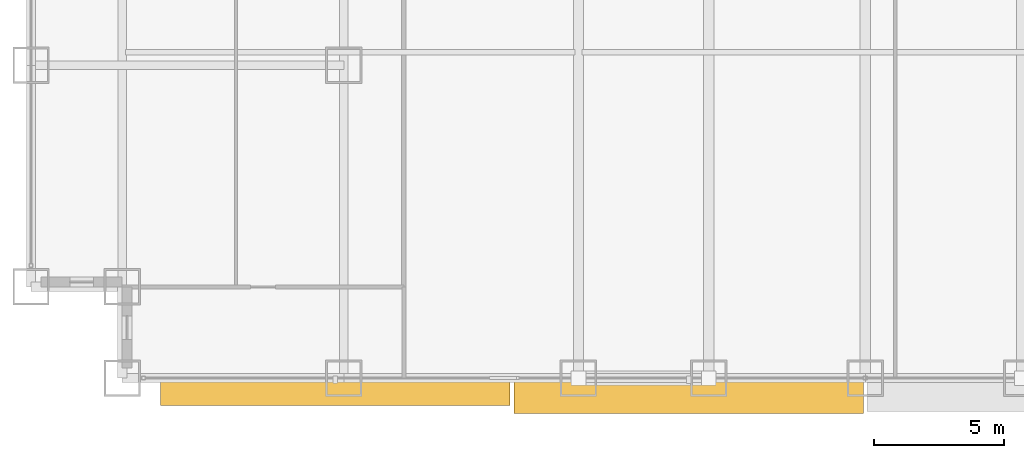
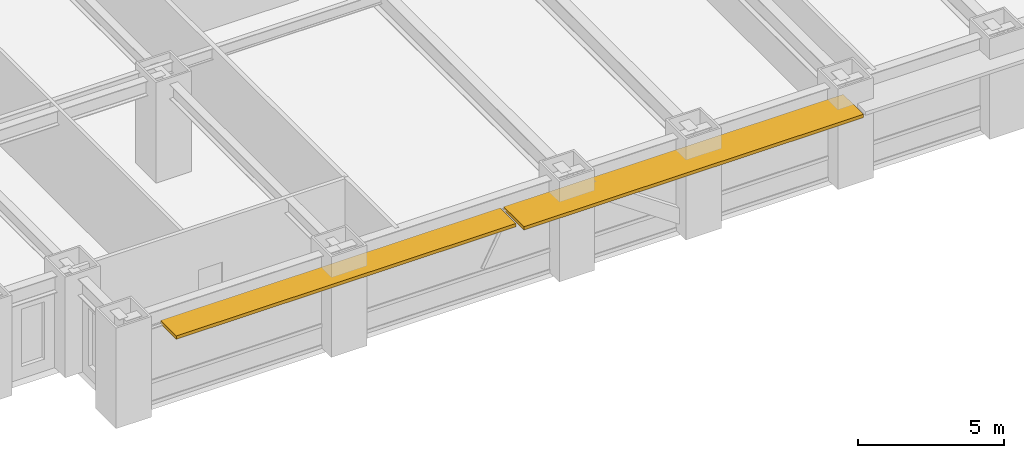
# One storey, part 28 of 32: 2 shading devices.
"""IFC4 building model written with IfcOpenShell, lengths in metres."""

from ifc_helpers import new_model, si_unit, direction, frame, origin, origin_2d, place, context, subcontext, project, spatial, rectangle, extrude, source, transform, mapped, material, layer, layer_set, type_object, element, save


model = new_model("IFC4")

# Units and contexts
model_context = context("Model", 3, precision=1e-05, world=origin(), true_north=direction((0.0, 1.0)))
body_context = subcontext(model_context, "Body", "Model", "MODEL_VIEW")
ifc_project = project(units=[si_unit("LENGTHUNIT", "METRE"), si_unit("AREAUNIT", "SQUARE_METRE"), si_unit("VOLUMEUNIT", "CUBIC_METRE"), si_unit("PLANEANGLEUNIT", "RADIAN"), si_unit("MASSUNIT", "GRAM", prefix="KILO")], contexts=[model_context])

# Site, building, storey
site_placement = place(None, origin())
site = spatial("IfcSite", under=ifc_project, at=site_placement, CompositionType="ELEMENT")
building_placement = place(site_placement, origin())
building = spatial("IfcBuilding", under=site, at=building_placement, Name="Khorayat Bourse Tower", CompositionType="ELEMENT")
storey_placement = place(building_placement, frame((0.0, 0.0, 74.60009765625)))
storey = spatial("IfcBuildingStorey", under=building, at=storey_placement, Name="L16", CompositionType="ELEMENT", Elevation=74.60009765625)

# Shading devices
ifc_material = material(Name="Precast concrete C45/55", Category="concrete")
ifc_layer = layer(ifc_material, 0.139892578125)
ifc_layer_set = layer_set([ifc_layer], Name="Precast concrete C45/55")
shading_device_type = type_object("IfcShadingDeviceType", Name="SHD-WAVE-TRAY-B", PredefinedType="USERDEFINED", material=ifc_layer_set)
shared_shape_1 = source(origin(), body_context, "Body", "SweptSolid", [
    extrude(rectangle(XDim=13.409912109375, YDim=1.076171875, at=origin_2d()), origin(), (0.0, 0.0, 1.0), 0.139892578125),
])
shading_device_1_placement = place(storey_placement, frame((-20.324951171875, -32.51806640625, 3.18994140625), z_axis=(0.0, 0.0, 1.0), x_axis=(1.0, 0.0, 0.0)))
element("IfcShadingDevice", 1, at=shading_device_1_placement, inside=storey, type_object=shading_device_type, Name="L16 Sinusoidal Wave Sunshade Tray S-1", ObjectType="SUNSHADE", PredefinedType="USERDEFINED", context=body_context, shape_type="MappedRepresentation", body=[
    mapped(shared_shape_1, transform((0.0, 0.0, 0.0), scale=1.0)),
])
shared_shape_2 = source(origin(), body_context, "Body", "SweptSolid", [
    extrude(rectangle(XDim=13.409912109375, YDim=1.380859375, at=origin_2d()), origin(), (0.0, 0.0, 1.0), 0.139892578125),
])
shading_device_2_placement = place(storey_placement, frame((-6.77490234375, -32.67041015625, 3.18994140625), z_axis=(0.0, 0.0, 1.0), x_axis=(1.0, 0.0, 0.0)))
element("IfcShadingDevice", 2, at=shading_device_2_placement, inside=storey, type_object=shading_device_type, Name="L16 Sinusoidal Wave Sunshade Tray S-2", ObjectType="SUNSHADE", PredefinedType="USERDEFINED", context=body_context, shape_type="MappedRepresentation", body=[
    mapped(shared_shape_2, transform((0.0, 0.0, 0.0), scale=1.0)),
])

save(model, "model.ifc")
